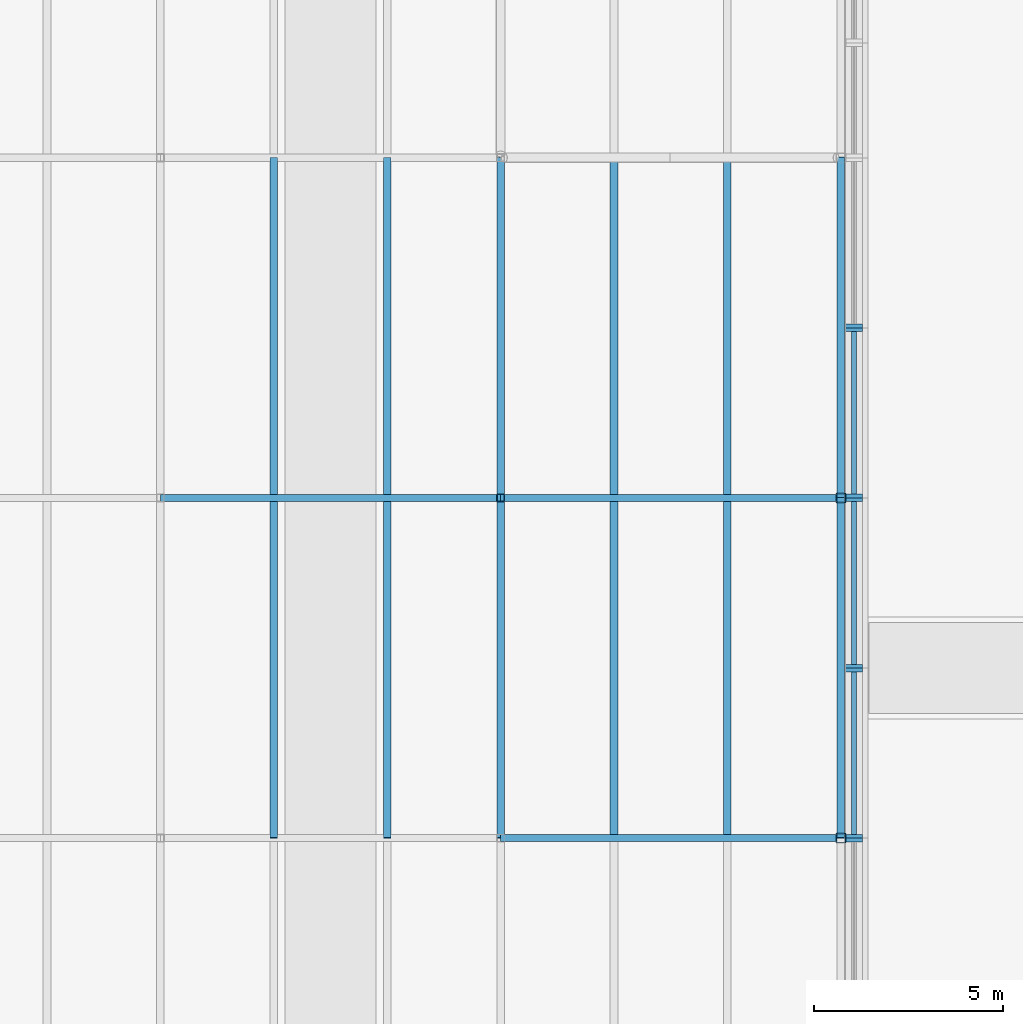
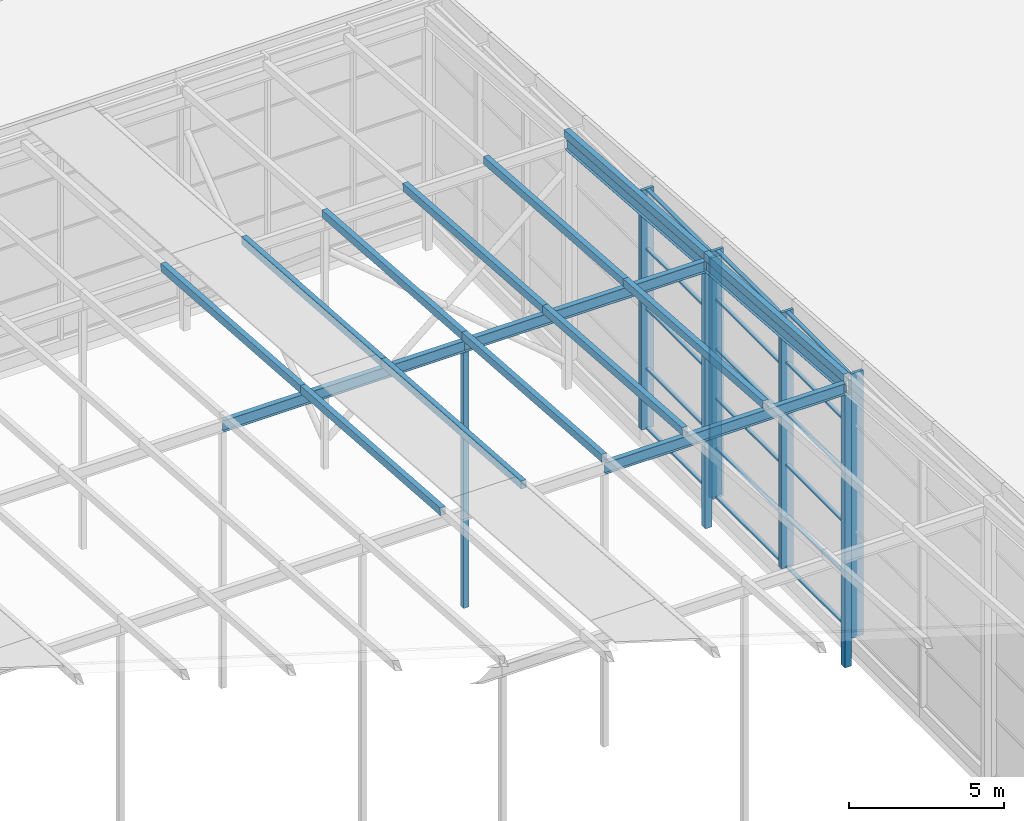
# One storey, part 44 of 84: 40 members, 5 beams, 5 elements without a shape of their own.
"""IFC4 building model written with IfcOpenShell, lengths in metres."""

from ifc_helpers import new_model, si_unit, direction, frame, origin, origin_2d, place, context, subcontext, project, spatial, rectangle, hollow_rectangle, i_section, extrude, material, material_profile, profile_set, type_object, element, aggregate, save


model = new_model("IFC4")

# Units and contexts
model_context = context("Model", 3, precision=1e-05, world=origin(), true_north=direction((0.0, 1.0)))
body_context = subcontext(model_context, "Body", "Model", "MODEL_VIEW")
ifc_project = project(units=[si_unit("LENGTHUNIT", "METRE"), si_unit("AREAUNIT", "SQUARE_METRE"), si_unit("VOLUMEUNIT", "CUBIC_METRE"), si_unit("PLANEANGLEUNIT", "RADIAN"), si_unit("MASSUNIT", "GRAM", prefix="KILO")], contexts=[model_context])

# Site, building, storey
site_placement = place(None, origin())
site = spatial("IfcSite", under=ifc_project, at=site_placement, CompositionType="ELEMENT")
building_placement = place(site_placement, origin())
building = spatial("IfcBuilding", under=site, at=building_placement, Name="Silverbay Arena", CompositionType="ELEMENT")
storey_placement = place(building_placement, frame((0.0, 0.0, 47.10009765625)))
storey = spatial("IfcBuildingStorey", under=building, at=storey_placement, Name="ROOF", CompositionType="ELEMENT", Elevation=47.10009765625)

# Curtain wall, member
ifc_material_1 = material(Name="Aluminium framed glazing", Category="aluminium")
curtain_wall_type_1 = type_object("IfcCurtainWallType", Name="Curtain wall crown 4500 x 10400", PredefinedType="NOTDEFINED", material=ifc_material_1)
curtain_wall_1_placement = place(storey_placement, origin())
curtain_wall_1 = element("IfcCurtainWall", 1, at=curtain_wall_1_placement, inside=storey, type_object=curtain_wall_type_1, Name="ROOF CROWN CURTAIN WALL east bay 19", PredefinedType="NOTDEFINED")
ifc_material_2 = material(Name="Aluminium", Category="aluminium")
ifc_material_profile_1 = material_profile(ifc_material_2, rectangle(XDim=0.449951171875, YDim=0.10009765625, at=origin_2d()), Name="Mullion 100 x 450")
ifc_profile_set_1 = profile_set([ifc_material_profile_1], Name="Aluminium")
member_type_1 = type_object("IfcMemberType", Name="Mullion 100 x 450", PredefinedType="MULLION", material=ifc_profile_set_1)
placement = place(building_placement, frame((0.0, 0.0, 33.5)))
member_1_placement = place(placement, frame((180.35009765625, 107.949951171875, 14.050048828125), z_axis=(0.0, 0.0, 1.0), x_axis=(-1.0, 0.0, 0.0)))
member_1 = element("IfcMember", 2, at=member_1_placement, type_object=member_type_1, Name="CW70 mullion 2", PredefinedType="MULLION", context=body_context, shape_type="SweptSolid", body=[
    extrude(rectangle(XDim=0.449951171875, YDim=0.10009765625, at=origin_2d()), origin(), (0.0, 0.0, 1.0), 10.39990234375),
])
aggregate(curtain_wall_1, [member_1])

# Curtain wall, members
ifc_material_3 = material(Name="Aluminium framed glazing", Category="aluminium")
curtain_wall_type_2 = type_object("IfcCurtainWallType", Name="Curtain wall crown 4500 x 10075", PredefinedType="NOTDEFINED", material=ifc_material_3)
curtain_wall_2_placement = place(storey_placement, origin())
curtain_wall_2 = element("IfcCurtainWall", 3, at=curtain_wall_2_placement, inside=storey, type_object=curtain_wall_type_2, Name="ROOF CROWN CURTAIN WALL east bay 20", PredefinedType="NOTDEFINED")
member_2_placement = place(placement, frame((180.35009765625, 108.050048828125, 14.050048828125), z_axis=(0.0, 0.0, 1.0), x_axis=(-1.0, 0.0, 0.0)))
member_2 = element("IfcMember", 4, at=member_2_placement, type_object=member_type_1, Name="CW69 mullion 1", PredefinedType="MULLION", context=body_context, shape_type="SweptSolid", body=[
    extrude(rectangle(XDim=0.449951171875, YDim=0.10009765625, at=origin_2d()), origin(), (0.0, 0.0, 1.0), 10.074951171875),
])
member_3_placement = place(placement, frame((180.35009765625, 112.449951171875, 14.050048828125), z_axis=(0.0, 0.0, 1.0), x_axis=(-1.0, 0.0, 0.0)))
member_3 = element("IfcMember", 5, at=member_3_placement, type_object=member_type_1, Name="CW69 mullion 2", PredefinedType="MULLION", context=body_context, shape_type="SweptSolid", body=[
    extrude(rectangle(XDim=0.449951171875, YDim=0.10009765625, at=origin_2d()), origin(), (0.0, 0.0, 1.0), 10.074951171875),
])

ifc_material_4 = material(Name="Aluminium framed glazing", Category="aluminium")
curtain_wall_type_3 = type_object("IfcCurtainWallType", Name="Curtain wall crown 4500 x 9750", PredefinedType="NOTDEFINED", material=ifc_material_4)
curtain_wall_3_placement = place(storey_placement, origin())
curtain_wall_3 = element("IfcCurtainWall", 6, at=curtain_wall_3_placement, inside=storey, type_object=curtain_wall_type_3, Name="ROOF CROWN CURTAIN WALL east bay 21", PredefinedType="NOTDEFINED")
member_4_placement = place(placement, frame((180.35009765625, 112.550048828125, 14.050048828125), z_axis=(0.0, 0.0, 1.0), x_axis=(-1.0, 0.0, 0.0)))
member_4 = element("IfcMember", 7, at=member_4_placement, type_object=member_type_1, Name="CW68 mullion 1", PredefinedType="MULLION", context=body_context, shape_type="SweptSolid", body=[
    extrude(rectangle(XDim=0.449951171875, YDim=0.10009765625, at=origin_2d()), origin(), (0.0, 0.0, 1.0), 9.75),
])
member_5_placement = place(placement, frame((180.35009765625, 116.949951171875, 14.050048828125), z_axis=(0.0, 0.0, 1.0), x_axis=(-1.0, 0.0, 0.0)))
member_5 = element("IfcMember", 8, at=member_5_placement, type_object=member_type_1, Name="CW68 mullion 2", PredefinedType="MULLION", context=body_context, shape_type="SweptSolid", body=[
    extrude(rectangle(XDim=0.449951171875, YDim=0.10009765625, at=origin_2d()), origin(), (0.0, 0.0, 1.0), 9.75),
])

ifc_material_5 = material(Name="Aluminium framed glazing", Category="aluminium")
curtain_wall_type_4 = type_object("IfcCurtainWallType", Name="Curtain wall crown 4500 x 9425", PredefinedType="NOTDEFINED", material=ifc_material_5)
curtain_wall_4_placement = place(storey_placement, origin())
curtain_wall_4 = element("IfcCurtainWall", 9, at=curtain_wall_4_placement, inside=storey, type_object=curtain_wall_type_4, Name="ROOF CROWN CURTAIN WALL east bay 22", PredefinedType="NOTDEFINED")
member_6_placement = place(placement, frame((180.35009765625, 117.050048828125, 14.050048828125), z_axis=(0.0, 0.0, 1.0), x_axis=(-1.0, 0.0, 0.0)))
member_6 = element("IfcMember", 10, at=member_6_placement, type_object=member_type_1, Name="CW67 mullion 1", PredefinedType="MULLION", context=body_context, shape_type="SweptSolid", body=[
    extrude(rectangle(XDim=0.449951171875, YDim=0.10009765625, at=origin_2d()), origin(), (0.0, 0.0, 1.0), 9.425048828125),
])
member_7_placement = place(placement, frame((180.35009765625, 121.449951171875, 14.050048828125), z_axis=(0.0, 0.0, 1.0), x_axis=(-1.0, 0.0, 0.0)))
member_7 = element("IfcMember", 11, at=member_7_placement, type_object=member_type_1, Name="CW67 mullion 2", PredefinedType="MULLION", context=body_context, shape_type="SweptSolid", body=[
    extrude(rectangle(XDim=0.449951171875, YDim=0.10009765625, at=origin_2d()), origin(), (0.0, 0.0, 1.0), 9.425048828125),
])

# Curtain wall, member
ifc_material_6 = material(Name="Aluminium framed glazing", Category="aluminium")
curtain_wall_type_5 = type_object("IfcCurtainWallType", Name="Curtain wall crown 4500 x 9100", PredefinedType="NOTDEFINED", material=ifc_material_6)
curtain_wall_5_placement = place(storey_placement, origin())
curtain_wall_5 = element("IfcCurtainWall", 12, at=curtain_wall_5_placement, inside=storey, type_object=curtain_wall_type_5, Name="ROOF CROWN CURTAIN WALL east bay 23", PredefinedType="NOTDEFINED")
member_8_placement = place(placement, frame((180.35009765625, 121.550048828125, 14.050048828125), z_axis=(0.0, 0.0, 1.0), x_axis=(-1.0, 0.0, 0.0)))
member_8 = element("IfcMember", 13, at=member_8_placement, type_object=member_type_1, Name="CW66 mullion 1", PredefinedType="MULLION", context=body_context, shape_type="SweptSolid", body=[
    extrude(rectangle(XDim=0.449951171875, YDim=0.10009765625, at=origin_2d()), origin(), (0.0, 0.0, 1.0), 9.099853515625),
])
aggregate(curtain_wall_5, [member_8])

# Members
ifc_material_7 = material(Name="Steel S355", Category="steel")
ifc_material_profile_2 = material_profile(ifc_material_7, hollow_rectangle(XDim=0.199951171875, YDim=0.300048828125, WallThickness=0.00634765625, at=origin_2d()), Name="RHS 300x200x6.3")
ifc_profile_set_2 = profile_set([ifc_material_profile_2], Name="Steel S355")
member_type_2 = type_object("IfcMemberType", Name="Purlin RHS 300x200x6.3", PredefinedType="PURLIN", material=ifc_profile_set_2)
for number, where, z_axis, x_axis, name in (
    (14, (165.0, 108.0, 10.699462890625), (0.0, 0.997402911363, -0.072023832195), (-1.0, 0.0, 0.0), "ROOF PURLIN crown line 29 bay 10"),
    (15, (165.0, 117.0, 10.049560546875), (0.0, 0.997400967367, -0.07205074805), (-1.0, 0.0, 0.0), "ROOF PURLIN crown line 29 bay 11"),
    (16, (168.0, 108.0, 10.699462890625), (0.0, 0.997402911363, -0.072023832195), (-1.0, 0.0, 0.0), "ROOF PURLIN crown line 30 bay 10"),
    (17, (168.0, 117.0, 10.049560546875), (0.0, 0.997400967367, -0.07205074805), (-1.0, 0.0, 0.0), "ROOF PURLIN crown line 30 bay 11"),
    (18, (171.0, 108.0, 10.699462890625), (0.0, 0.997402911363, -0.072023832195), (-1.0, 0.0, 0.0), "ROOF PURLIN crown line 31 bay 10"),
    (19, (171.0, 117.0, 10.049560546875), (0.0, 0.997400967367, -0.07205074805), (-1.0, 0.0, 0.0), "ROOF PURLIN crown line 31 bay 11"),
    (20, (174.0, 108.0, 10.699462890625), (0.0, 0.997402911363, -0.072023832195), (-1.0, 0.0, 0.0), "ROOF PURLIN crown line 32 bay 10"),
    (21, (174.0, 117.0, 10.049560546875), (0.0, 0.997400967367, -0.07205074805), (-1.0, 0.0, 0.0), "ROOF PURLIN crown line 32 bay 11"),
    (22, (177.0, 108.0, 10.699462890625), (0.0, 0.997402911363, -0.072023832195), (-1.0, 0.0, 0.0), "ROOF PURLIN crown line 33 bay 10"),
    (23, (177.0, 117.0, 10.049560546875), (0.0, 0.997400967367, -0.07205074805), (-1.0, 0.0, 0.0), "ROOF PURLIN crown line 33 bay 11"),
):
    element("IfcMember", number, at=place(storey_placement, frame(where, z_axis=z_axis, x_axis=x_axis)), inside=storey, type_object=member_type_2, Name=name, PredefinedType="PURLIN", context=body_context, shape_type="SweptSolid", body=[
        extrude(hollow_rectangle(XDim=0.199951171875, YDim=0.300048828125, WallThickness=0.00634765625, at=origin_2d()), origin(), (0.0, 0.0, 1.0), 9.0234375),
    ])
ifc_material_8 = material(Name="Steel S355", Category="steel")
ifc_material_profile_3 = material_profile(ifc_material_8, hollow_rectangle(XDim=0.199951171875, YDim=0.300048828125, WallThickness=0.008056640625, at=origin_2d()), Name="RHS 300x200x8")
ifc_profile_set_3 = profile_set([ifc_material_profile_3], Name="Steel S355")
member_type_3 = type_object("IfcMemberType", Name="Purlin RHS 300x200x8", PredefinedType="PURLIN", material=ifc_profile_set_3)
for number, where, z_axis, x_axis, name in (
    (24, (180.0, 108.0, 10.699462890625), (0.0, 0.997402911363, -0.072023832195), (-1.0, 0.0, 0.0), "ROOF PURLIN crown line 34 bay 10"),
    (25, (180.0, 117.0, 10.049560546875), (0.0, 0.997400967367, -0.07205074805), (-1.0, 0.0, 0.0), "ROOF PURLIN crown line 34 bay 11"),
):
    element("IfcMember", number, at=place(storey_placement, frame(where, z_axis=z_axis, x_axis=x_axis)), inside=storey, type_object=member_type_3, Name=name, PredefinedType="PURLIN", context=body_context, shape_type="SweptSolid", body=[
        extrude(hollow_rectangle(XDim=0.199951171875, YDim=0.300048828125, WallThickness=0.008056640625, at=origin_2d()), origin(), (0.0, 0.0, 1.0), 9.0234375),
    ])

# Beams
ifc_material_9 = material(Name="Steel S355", Category="steel")
ifc_material_profile_4 = material_profile(ifc_material_9, i_section(OverallWidth=0.18994140625, OverallDepth=0.453369140625, WebThickness=0.008544921875, FlangeThickness=0.0126953125, at=origin_2d()), Name="UB 457x191x67")
ifc_profile_set_4 = profile_set([ifc_material_profile_4], Name="Steel S355")
beam_type = type_object("IfcBeamType", Name="Ring beam UB 457x191x67", PredefinedType="BEAM", material=ifc_profile_set_4)
beam_1_placement = place(storey_placement, frame((171.0, 108.0, 10.322509765625), z_axis=(1.0, 0.0, 0.0), x_axis=(0.0, 1.0, 0.0)))
element("IfcBeam", 26, at=beam_1_placement, inside=storey, type_object=beam_type, Name="RING BEAM crown row 10 20-21", PredefinedType="BEAM", context=body_context, shape_type="SweptSolid", body=[
    extrude(i_section(OverallWidth=0.18994140625, OverallDepth=0.453369140625, WebThickness=0.008544921875, FlangeThickness=0.0126953125, at=origin_2d()), origin(), (0.0, 0.0, 1.0), 8.905029296875),
])
beam_2_placement = place(storey_placement, frame((162.0, 117.0, 9.67236328125), z_axis=(1.0, 0.0, 0.0), x_axis=(0.0, 1.0, 0.0)))
element("IfcBeam", 27, at=beam_2_placement, inside=storey, type_object=beam_type, Name="RING BEAM crown row 11 19-20", PredefinedType="BEAM", context=body_context, shape_type="SweptSolid", body=[
    extrude(i_section(OverallWidth=0.18994140625, OverallDepth=0.453369140625, WebThickness=0.008544921875, FlangeThickness=0.0126953125, at=origin_2d()), origin(), (0.0, 0.0, 1.0), 9.0),
])
beam_3_placement = place(storey_placement, frame((171.0, 117.0, 9.67236328125), z_axis=(1.0, 0.0, 0.0), x_axis=(0.0, 1.0, 0.0)))
element("IfcBeam", 28, at=beam_3_placement, inside=storey, type_object=beam_type, Name="RING BEAM crown row 11 20-21", PredefinedType="BEAM", context=body_context, shape_type="SweptSolid", body=[
    extrude(i_section(OverallWidth=0.18994140625, OverallDepth=0.453369140625, WebThickness=0.008544921875, FlangeThickness=0.0126953125, at=origin_2d()), origin(), (0.0, 0.0, 1.0), 8.905029296875),
])
for number, where, z_axis, x_axis, name in (
    (29, (180.0, 108.0, 10.322509765625), (0.0, 0.997400967367, -0.07205074805), (-1.0, 0.0, 0.0), "RING BEAM crown east edge 10"),
    (30, (180.0, 117.0, 9.67236328125), (0.0, 0.997402911363, -0.072023832195), (-1.0, 0.0, 0.0), "RING BEAM crown east edge 11"),
):
    element("IfcBeam", number, at=place(storey_placement, frame(where, z_axis=z_axis, x_axis=x_axis)), inside=storey, type_object=beam_type, Name=name, PredefinedType="BEAM", context=body_context, shape_type="SweptSolid", body=[
        extrude(i_section(OverallWidth=0.18994140625, OverallDepth=0.453369140625, WebThickness=0.008544921875, FlangeThickness=0.0126953125, at=origin_2d()), origin(), (0.0, 0.0, 1.0), 9.0234375),
    ])

# Members
ifc_material_10 = material(Name="Steel S355", Category="steel")
ifc_material_profile_5 = material_profile(ifc_material_10, hollow_rectangle(XDim=0.199951171875, YDim=0.199951171875, WallThickness=0.008056640625, at=origin_2d()), Name="SHS 200x200x8")
ifc_profile_set_5 = profile_set([ifc_material_profile_5], Name="Steel S355")
member_type_4 = type_object("IfcMemberType", Name="Roof post SHS 200x200x8", PredefinedType="POST", material=ifc_profile_set_5)
member_9_placement = place(storey_placement, frame((171.0, 117.0, -0.60009765625), z_axis=(0.0, 0.0, 1.0), x_axis=(1.0, 0.0, 0.0)))
element("IfcMember", 31, at=member_9_placement, inside=storey, type_object=member_type_4, Name="ROOF CROWN POST 20 row 11", PredefinedType="POST", context=body_context, shape_type="SweptSolid", body=[
    extrude(hollow_rectangle(XDim=0.199951171875, YDim=0.199951171875, WallThickness=0.008056640625, at=origin_2d()), origin(), (0.0, 0.0, 1.0), 10.0458984375),
])
ifc_material_11 = material(Name="Steel S355", Category="steel")
ifc_material_profile_6 = material_profile(ifc_material_11, hollow_rectangle(XDim=0.25, YDim=0.25, WallThickness=0.008056640625, at=origin_2d()), Name="SHS 250x250x8")
ifc_profile_set_6 = profile_set([ifc_material_profile_6], Name="Steel S355")
member_type_5 = type_object("IfcMemberType", Name="Roof post SHS 250x250x8", PredefinedType="POST", material=ifc_profile_set_6)
member_10_placement = place(storey_placement, frame((180.0, 108.0, -0.60009765625), z_axis=(0.0, 0.0, 1.0), x_axis=(1.0, 0.0, 0.0)))
element("IfcMember", 32, at=member_10_placement, inside=storey, type_object=member_type_5, Name="ROOF CROWN POST 21 row 10", PredefinedType="POST", context=body_context, shape_type="SweptSolid", body=[
    extrude(hollow_rectangle(XDim=0.25, YDim=0.25, WallThickness=0.008056640625, at=origin_2d()), origin(), (0.0, 0.0, 1.0), 10.69580078125),
])
member_11_placement = place(storey_placement, frame((180.0, 117.0, -0.60009765625), z_axis=(0.0, 0.0, 1.0), x_axis=(1.0, 0.0, 0.0)))
element("IfcMember", 33, at=member_11_placement, inside=storey, type_object=member_type_5, Name="ROOF CROWN POST 21 row 11", PredefinedType="POST", context=body_context, shape_type="SweptSolid", body=[
    extrude(hollow_rectangle(XDim=0.25, YDim=0.25, WallThickness=0.008056640625, at=origin_2d()), origin(), (0.0, 0.0, 1.0), 10.0458984375),
])

# Member
ifc_material_12 = material(Name="Aluminium", Category="aluminium")
ifc_material_profile_7 = material_profile(ifc_material_12, rectangle(XDim=0.139892578125, YDim=0.06005859375, at=origin_2d()), Name="Transom 60 x 140")
ifc_profile_set_7 = profile_set([ifc_material_profile_7], Name="Aluminium")
member_type_6 = type_object("IfcMemberType", Name="Transom 60 x 140", PredefinedType="USERDEFINED", material=ifc_profile_set_7)
member_12_placement = place(placement, frame((180.35009765625, 108.10009765625, 14.080078125), z_axis=(0.0, 1.0, 0.0), x_axis=(-1.0, 0.0, 0.0)))
member_12 = element("IfcMember", 34, at=member_12_placement, type_object=member_type_6, Name="CW69 transom 1.1", ObjectType="TRANSOM", PredefinedType="USERDEFINED", context=body_context, shape_type="SweptSolid", body=[
    extrude(rectangle(XDim=0.139892578125, YDim=0.06005859375, at=origin_2d()), origin(), (0.0, 0.0, 1.0), 4.2998046875),
])

member_13_placement = place(placement, frame((180.35009765625, 108.10009765625, 16.06494140625), z_axis=(0.0, 1.0, 0.0), x_axis=(-1.0, 0.0, 0.0)))
member_13 = element("IfcMember", 35, at=member_13_placement, type_object=member_type_6, Name="CW69 transom 1.2", ObjectType="TRANSOM", PredefinedType="USERDEFINED", context=body_context, shape_type="SweptSolid", body=[
    extrude(rectangle(XDim=0.139892578125, YDim=0.06005859375, at=origin_2d()), origin(), (0.0, 0.0, 1.0), 4.2998046875),
])

member_14_placement = place(placement, frame((180.35009765625, 108.10009765625, 18.080078125), z_axis=(0.0, 1.0, 0.0), x_axis=(-1.0, 0.0, 0.0)))
member_14 = element("IfcMember", 36, at=member_14_placement, type_object=member_type_6, Name="CW69 transom 1.3", ObjectType="TRANSOM", PredefinedType="USERDEFINED", context=body_context, shape_type="SweptSolid", body=[
    extrude(rectangle(XDim=0.139892578125, YDim=0.06005859375, at=origin_2d()), origin(), (0.0, 0.0, 1.0), 4.2998046875),
])

member_15_placement = place(placement, frame((180.35009765625, 108.10009765625, 20.094970703125), z_axis=(0.0, 1.0, 0.0), x_axis=(-1.0, 0.0, 0.0)))
member_15 = element("IfcMember", 37, at=member_15_placement, type_object=member_type_6, Name="CW69 transom 1.4", ObjectType="TRANSOM", PredefinedType="USERDEFINED", context=body_context, shape_type="SweptSolid", body=[
    extrude(rectangle(XDim=0.139892578125, YDim=0.06005859375, at=origin_2d()), origin(), (0.0, 0.0, 1.0), 4.2998046875),
])

member_16_placement = place(placement, frame((180.35009765625, 108.10009765625, 22.110107421875), z_axis=(0.0, 1.0, 0.0), x_axis=(-1.0, 0.0, 0.0)))
member_16 = element("IfcMember", 38, at=member_16_placement, type_object=member_type_6, Name="CW69 transom 1.5", ObjectType="TRANSOM", PredefinedType="USERDEFINED", context=body_context, shape_type="SweptSolid", body=[
    extrude(rectangle(XDim=0.139892578125, YDim=0.06005859375, at=origin_2d()), origin(), (0.0, 0.0, 1.0), 4.2998046875),
])

member_17_placement = place(placement, frame((180.35009765625, 108.10009765625, 24.094970703125), z_axis=(0.0, 1.0, 0.0), x_axis=(-1.0, 0.0, 0.0)))
member_17 = element("IfcMember", 39, at=member_17_placement, type_object=member_type_6, Name="CW69 transom 1.6", ObjectType="TRANSOM", PredefinedType="USERDEFINED", context=body_context, shape_type="SweptSolid", body=[
    extrude(rectangle(XDim=0.139892578125, YDim=0.06005859375, at=origin_2d()), origin(), (0.0, 0.0, 1.0), 4.2998046875),
])

aggregate(curtain_wall_2, [member_2, member_3, member_12, member_13, member_14, member_15, member_16, member_17])

member_18_placement = place(placement, frame((180.35009765625, 112.60009765625, 14.080078125), z_axis=(0.0, 1.0, 0.0), x_axis=(-1.0, 0.0, 0.0)))
member_18 = element("IfcMember", 40, at=member_18_placement, type_object=member_type_6, Name="CW68 transom 1.1", ObjectType="TRANSOM", PredefinedType="USERDEFINED", context=body_context, shape_type="SweptSolid", body=[
    extrude(rectangle(XDim=0.139892578125, YDim=0.06005859375, at=origin_2d()), origin(), (0.0, 0.0, 1.0), 4.2998046875),
])

member_19_placement = place(placement, frame((180.35009765625, 112.60009765625, 16.0), z_axis=(0.0, 1.0, 0.0), x_axis=(-1.0, 0.0, 0.0)))
member_19 = element("IfcMember", 41, at=member_19_placement, type_object=member_type_6, Name="CW68 transom 1.2", ObjectType="TRANSOM", PredefinedType="USERDEFINED", context=body_context, shape_type="SweptSolid", body=[
    extrude(rectangle(XDim=0.139892578125, YDim=0.06005859375, at=origin_2d()), origin(), (0.0, 0.0, 1.0), 4.2998046875),
])

member_20_placement = place(placement, frame((180.35009765625, 112.60009765625, 17.949951171875), z_axis=(0.0, 1.0, 0.0), x_axis=(-1.0, 0.0, 0.0)))
member_20 = element("IfcMember", 42, at=member_20_placement, type_object=member_type_6, Name="CW68 transom 1.3", ObjectType="TRANSOM", PredefinedType="USERDEFINED", context=body_context, shape_type="SweptSolid", body=[
    extrude(rectangle(XDim=0.139892578125, YDim=0.06005859375, at=origin_2d()), origin(), (0.0, 0.0, 1.0), 4.2998046875),
])

member_21_placement = place(placement, frame((180.35009765625, 112.60009765625, 19.89990234375), z_axis=(0.0, 1.0, 0.0), x_axis=(-1.0, 0.0, 0.0)))
member_21 = element("IfcMember", 43, at=member_21_placement, type_object=member_type_6, Name="CW68 transom 1.4", ObjectType="TRANSOM", PredefinedType="USERDEFINED", context=body_context, shape_type="SweptSolid", body=[
    extrude(rectangle(XDim=0.139892578125, YDim=0.06005859375, at=origin_2d()), origin(), (0.0, 0.0, 1.0), 4.2998046875),
])

member_22_placement = place(placement, frame((180.35009765625, 112.60009765625, 21.85009765625), z_axis=(0.0, 1.0, 0.0), x_axis=(-1.0, 0.0, 0.0)))
member_22 = element("IfcMember", 44, at=member_22_placement, type_object=member_type_6, Name="CW68 transom 1.5", ObjectType="TRANSOM", PredefinedType="USERDEFINED", context=body_context, shape_type="SweptSolid", body=[
    extrude(rectangle(XDim=0.139892578125, YDim=0.06005859375, at=origin_2d()), origin(), (0.0, 0.0, 1.0), 4.2998046875),
])

member_23_placement = place(placement, frame((180.35009765625, 112.60009765625, 23.77001953125), z_axis=(0.0, 1.0, 0.0), x_axis=(-1.0, 0.0, 0.0)))
member_23 = element("IfcMember", 45, at=member_23_placement, type_object=member_type_6, Name="CW68 transom 1.6", ObjectType="TRANSOM", PredefinedType="USERDEFINED", context=body_context, shape_type="SweptSolid", body=[
    extrude(rectangle(XDim=0.139892578125, YDim=0.06005859375, at=origin_2d()), origin(), (0.0, 0.0, 1.0), 4.2998046875),
])

aggregate(curtain_wall_3, [member_4, member_5, member_18, member_19, member_20, member_21, member_22, member_23])

member_24_placement = place(placement, frame((180.35009765625, 117.10009765625, 14.080078125), z_axis=(0.0, 1.0, 0.0), x_axis=(-1.0, 0.0, 0.0)))
member_24 = element("IfcMember", 46, at=member_24_placement, type_object=member_type_6, Name="CW67 transom 1.1", ObjectType="TRANSOM", PredefinedType="USERDEFINED", context=body_context, shape_type="SweptSolid", body=[
    extrude(rectangle(XDim=0.139892578125, YDim=0.06005859375, at=origin_2d()), origin(), (0.0, 0.0, 1.0), 4.2998046875),
])

member_25_placement = place(placement, frame((180.35009765625, 117.10009765625, 16.40625), z_axis=(0.0, 1.0, 0.0), x_axis=(-1.0, 0.0, 0.0)))
member_25 = element("IfcMember", 47, at=member_25_placement, type_object=member_type_6, Name="CW67 transom 1.2", ObjectType="TRANSOM", PredefinedType="USERDEFINED", context=body_context, shape_type="SweptSolid", body=[
    extrude(rectangle(XDim=0.139892578125, YDim=0.06005859375, at=origin_2d()), origin(), (0.0, 0.0, 1.0), 4.2998046875),
])

member_26_placement = place(placement, frame((180.35009765625, 117.10009765625, 18.762451171875), z_axis=(0.0, 1.0, 0.0), x_axis=(-1.0, 0.0, 0.0)))
member_26 = element("IfcMember", 48, at=member_26_placement, type_object=member_type_6, Name="CW67 transom 1.3", ObjectType="TRANSOM", PredefinedType="USERDEFINED", context=body_context, shape_type="SweptSolid", body=[
    extrude(rectangle(XDim=0.139892578125, YDim=0.06005859375, at=origin_2d()), origin(), (0.0, 0.0, 1.0), 4.2998046875),
])

member_27_placement = place(placement, frame((180.35009765625, 117.10009765625, 21.11865234375), z_axis=(0.0, 1.0, 0.0), x_axis=(-1.0, 0.0, 0.0)))
member_27 = element("IfcMember", 49, at=member_27_placement, type_object=member_type_6, Name="CW67 transom 1.4", ObjectType="TRANSOM", PredefinedType="USERDEFINED", context=body_context, shape_type="SweptSolid", body=[
    extrude(rectangle(XDim=0.139892578125, YDim=0.06005859375, at=origin_2d()), origin(), (0.0, 0.0, 1.0), 4.2998046875),
])

member_28_placement = place(placement, frame((180.35009765625, 117.10009765625, 23.445068359375), z_axis=(0.0, 1.0, 0.0), x_axis=(-1.0, 0.0, 0.0)))
member_28 = element("IfcMember", 50, at=member_28_placement, type_object=member_type_6, Name="CW67 transom 1.5", ObjectType="TRANSOM", PredefinedType="USERDEFINED", context=body_context, shape_type="SweptSolid", body=[
    extrude(rectangle(XDim=0.139892578125, YDim=0.06005859375, at=origin_2d()), origin(), (0.0, 0.0, 1.0), 4.2998046875),
])

aggregate(curtain_wall_4, [member_6, member_7, member_24, member_25, member_26, member_27, member_28])

save(model, "model.ifc")
